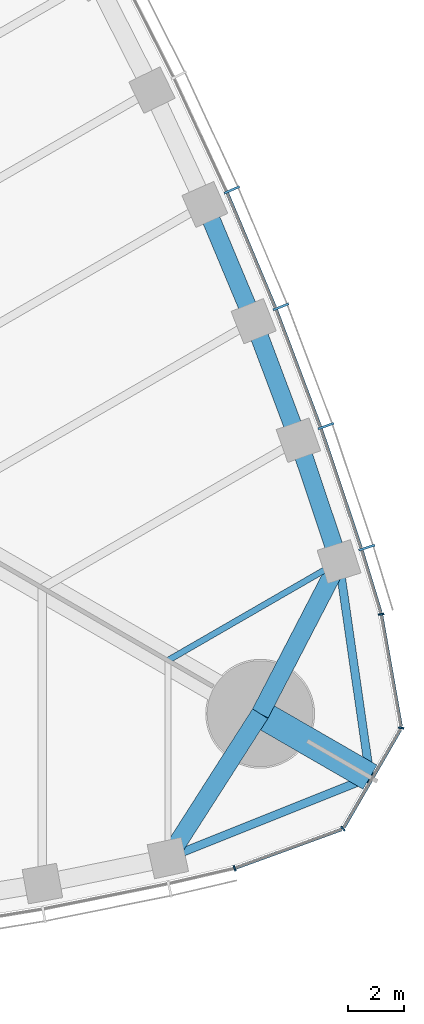
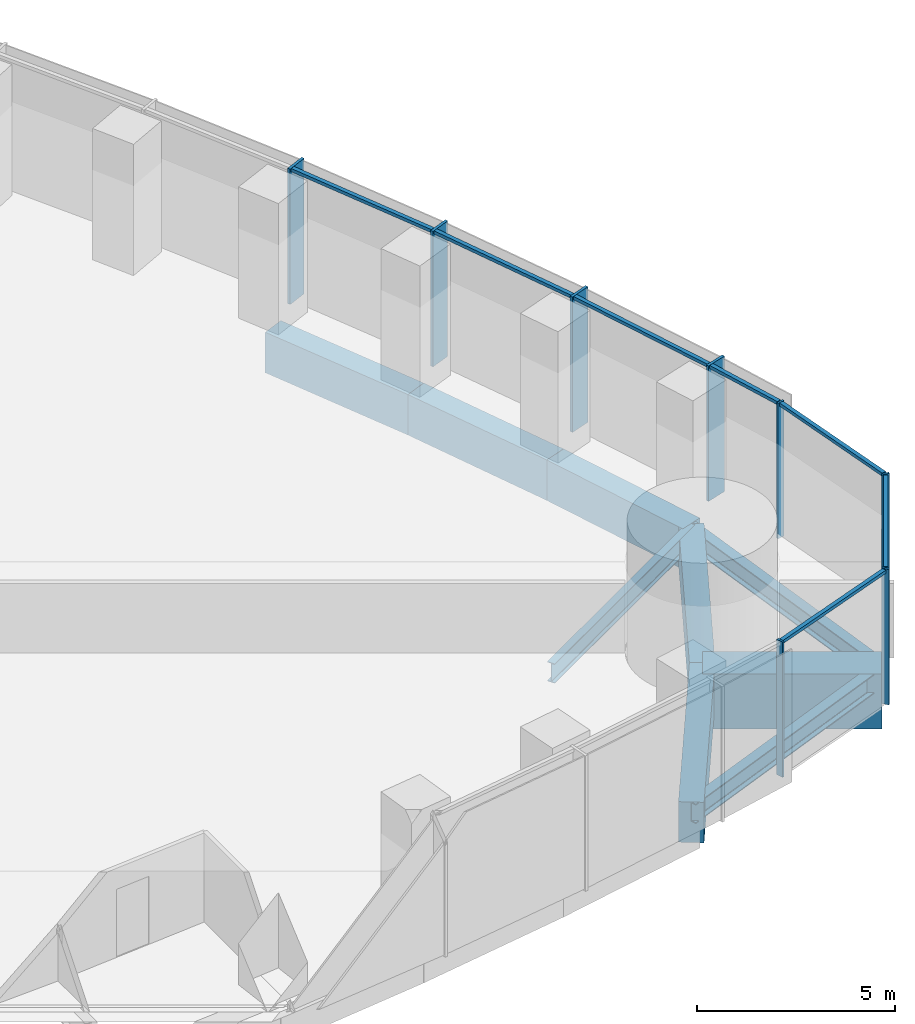
# One storey, part 8 of 19: 15 members, 9 beams, 2 elements without a shape of their own.
"""IFC4 building model written with IfcOpenShell, lengths in metres."""

from ifc_helpers import new_model, si_unit, direction, frame, origin, origin_2d, place, context, subcontext, project, spatial, rectangle, i_section, extrude, material, material_profile, profile_set, type_object, element, aggregate, save


model = new_model("IFC4")

# Units and contexts
model_context = context("Model", 3, precision=1e-05, world=origin(), true_north=direction((0.0, 1.0)))
body_context = subcontext(model_context, "Body", "Model", "MODEL_VIEW")
ifc_project = project(units=[si_unit("LENGTHUNIT", "METRE"), si_unit("AREAUNIT", "SQUARE_METRE"), si_unit("VOLUMEUNIT", "CUBIC_METRE"), si_unit("PLANEANGLEUNIT", "RADIAN"), si_unit("MASSUNIT", "GRAM", prefix="KILO")], contexts=[model_context])

# Site, building, storey
site_placement = place(None, origin())
site = spatial("IfcSite", under=ifc_project, at=site_placement, CompositionType="ELEMENT")
building_placement = place(site_placement, origin())
building = spatial("IfcBuilding", under=site, at=building_placement, Name="Trefoil Bronze Tower", CompositionType="ELEMENT")
storey_placement = place(building_placement, frame((0.0, 0.0, 140.89990234375)))
storey = spatial("IfcBuildingStorey", under=building, at=storey_placement, Name="L32", CompositionType="ELEMENT", Elevation=140.89990234375)

# Curtain wall, members
ifc_material_1 = material(Name="Tinted solar-control glass", Category="glass")
curtain_wall_type_1 = type_object("IfcCurtainWallType", Name="Bronze office curtain wall", PredefinedType="USERDEFINED", material=ifc_material_1)
curtain_wall_1_placement = place(storey_placement, origin())
curtain_wall_1 = element("IfcCurtainWall", 1, at=curtain_wall_1_placement, inside=storey, type_object=curtain_wall_type_1, Name="CW-A L32 F2", ObjectType="CURTAIN WALL", PredefinedType="USERDEFINED")
ifc_material_2 = material(Name="Bronze-finish aluminium", Category="aluminium")
ifc_material_profile_1 = material_profile(ifc_material_2, rectangle(XDim=0.60009765625, YDim=0.080078125, at=origin_2d()), Name="CW-A mullion")
ifc_profile_set_1 = profile_set([ifc_material_profile_1], Name="Bronze-finish aluminium")
member_type_1 = type_object("IfcMemberType", Name="Bronze office curtain wall mullion", PredefinedType="MULLION", material=ifc_profile_set_1)
member_1_placement = place(storey_placement, frame((34.1337890625, -11.543212890625, 0.0), z_axis=(0.0, 0.0, 1.0), x_axis=(-0.952331125357, -0.30506626768, 0.0)))
member_1 = element("IfcMember", 2, at=member_1_placement, type_object=member_type_1, Name="CW-A L32 F2 mullion 2", PredefinedType="MULLION", context=body_context, shape_type="SweptSolid", body=[
    extrude(rectangle(XDim=0.60009765625, YDim=0.080078125, at=origin_2d()), origin(), (0.0, 0.0, 1.0), 4.18017578125),
])
member_2_placement = place(storey_placement, frame((32.668701171875, -7.181884765625, 0.0), z_axis=(0.0, 0.0, 1.0), x_axis=(-0.94196250502, -0.335718094742, 0.0)))
member_2 = element("IfcMember", 3, at=member_2_placement, type_object=member_type_1, Name="CW-A L32 F2 mullion 3", PredefinedType="MULLION", context=body_context, shape_type="SweptSolid", body=[
    extrude(rectangle(XDim=0.60009765625, YDim=0.080078125, at=origin_2d()), origin(), (0.0, 0.0, 1.0), 4.18017578125),
])
member_3_placement = place(storey_placement, frame((31.055419921875, -2.90478515625, 0.0), z_axis=(0.0, 0.0, 1.0), x_axis=(-0.929071242848, -0.369900832269, 0.0)))
member_3 = element("IfcMember", 4, at=member_3_placement, type_object=member_type_1, Name="CW-A L32 F2 mullion 4", PredefinedType="MULLION", context=body_context, shape_type="SweptSolid", body=[
    extrude(rectangle(XDim=0.60009765625, YDim=0.080078125, at=origin_2d()), origin(), (0.0, 0.0, 1.0), 4.18017578125),
])
member_4_placement = place(storey_placement, frame((29.296875, 1.28857421875, 0.0), z_axis=(0.0, 0.0, 1.0), x_axis=(-0.915018269914, -0.40341240155, 0.0)))
member_4 = element("IfcMember", 5, at=member_4_placement, type_object=member_type_1, Name="CW-A L32 F2 mullion 5", PredefinedType="MULLION", context=body_context, shape_type="SweptSolid", body=[
    extrude(rectangle(XDim=0.60009765625, YDim=0.080078125, at=origin_2d()), origin(), (0.0, 0.0, 1.0), 4.18017578125),
])
ifc_material_3 = material(Name="Bronze-finish aluminium", Category="aluminium")
ifc_material_profile_2 = material_profile(ifc_material_3, rectangle(XDim=0.1201171875, YDim=0.10009765625, at=origin_2d()), Name="CW-A transom")
ifc_profile_set_2 = profile_set([ifc_material_profile_2], Name="Bronze-finish aluminium")
member_type_2 = type_object("IfcMemberType", Name="Bronze office curtain wall transom", PredefinedType="USERDEFINED", material=ifc_profile_set_2)
member_5_placement = place(storey_placement, frame((34.637939453125, -13.88232421875, 4.130126953125), z_axis=(-0.291680468798, 0.956515814883, 0.0), x_axis=(-0.956515814883, -0.291680468798, 0.0)))
member_5 = element("IfcMember", 6, at=member_5_placement, type_object=member_type_2, Name="CW-A L32 F2 transom 1", ObjectType="TRANSOM", PredefinedType="USERDEFINED", context=body_context, shape_type="SweptSolid", body=[
    extrude(rectangle(XDim=0.1201171875, YDim=0.10009765625, at=origin_2d()), origin(), (0.0, 0.0, 1.0), 2.34033203125),
])
member_6_placement = place(storey_placement, frame((33.929931640625, -11.56494140625, 4.130126953125), z_axis=(-0.318386323729, 0.947961048178, 0.0), x_axis=(-0.947961048178, -0.318386323729, 0.0)))
member_6 = element("IfcMember", 7, at=member_6_placement, type_object=member_type_2, Name="CW-A L32 F2 transom 2", ObjectType="TRANSOM", PredefinedType="USERDEFINED", context=body_context, shape_type="SweptSolid", body=[
    extrude(rectangle(XDim=0.1201171875, YDim=0.10009765625, at=origin_2d()), origin(), (0.0, 0.0, 1.0), 4.51123046875),
])
member_7_placement = place(storey_placement, frame((32.465576171875, -7.2099609375, 4.130126953125), z_axis=(-0.352932154759, 0.935648916067, 0.0), x_axis=(-0.935648916067, -0.352932154759, 0.0)))
member_7 = element("IfcMember", 8, at=member_7_placement, type_object=member_type_2, Name="CW-A L32 F2 transom 3", ObjectType="TRANSOM", PredefinedType="USERDEFINED", context=body_context, shape_type="SweptSolid", body=[
    extrude(rectangle(XDim=0.1201171875, YDim=0.10009765625, at=origin_2d()), origin(), (0.0, 0.0, 1.0), 4.48046875),
])
member_8_placement = place(storey_placement, frame((30.853515625, -2.940185546875, 4.130126953125), z_axis=(-0.386773266184, 0.922174842731, 0.0), x_axis=(-0.922174842731, -0.386773266184, 0.0)))
member_8 = element("IfcMember", 9, at=member_8_placement, type_object=member_type_2, Name="CW-A L32 F2 transom 4", ObjectType="TRANSOM", PredefinedType="USERDEFINED", context=body_context, shape_type="SweptSolid", body=[
    extrude(rectangle(XDim=0.1201171875, YDim=0.10009765625, at=origin_2d()), origin(), (0.0, 0.0, 1.0), 4.45654296875),
])
aggregate(curtain_wall_1, [member_1, member_2, member_3, member_4, member_5, member_6, member_7, member_8])

ifc_material_4 = material(Name="Tinted solar-control glass", Category="glass")
curtain_wall_type_2 = type_object("IfcCurtainWallType", Name="Bronze rounded corner curtain wall", PredefinedType="USERDEFINED", material=ifc_material_4)
curtain_wall_2_placement = place(storey_placement, origin())
curtain_wall_2 = element("IfcCurtainWall", 10, at=curtain_wall_2_placement, inside=storey, type_object=curtain_wall_type_2, Name="CW-B L32 K1", ObjectType="CURTAIN WALL", PredefinedType="USERDEFINED")
ifc_material_5 = material(Name="Bronze-finish aluminium", Category="aluminium")
ifc_material_profile_3 = material_profile(ifc_material_5, rectangle(XDim=0.199951171875, YDim=0.06005859375, at=origin_2d()), Name="CW-B mullion")
ifc_profile_set_3 = profile_set([ifc_material_profile_3], Name="Bronze-finish aluminium")
member_type_3 = type_object("IfcMemberType", Name="Bronze rounded corner curtain wall mullion", PredefinedType="MULLION", material=ifc_profile_set_3)
member_9_placement = place(storey_placement, frame((29.391845703125, -23.043701171875, 0.0), z_axis=(0.0, 0.0, 1.0), x_axis=(-0.342020143326, 0.939692620786, 0.0)))
member_9 = element("IfcMember", 11, at=member_9_placement, type_object=member_type_3, Name="CW-B L32 K1 mullion 1", PredefinedType="MULLION", context=body_context, shape_type="SweptSolid", body=[
    extrude(rectangle(XDim=0.199951171875, YDim=0.06005859375, at=origin_2d()), origin(), (0.0, 0.0, 1.0), 4.18017578125),
])
member_10_placement = place(storey_placement, frame((33.27880859375, -21.62255859375, 0.0), z_axis=(0.0, 0.0, 1.0), x_axis=(-0.642787609687, 0.766044443119, 0.0)))
member_10 = element("IfcMember", 12, at=member_10_placement, type_object=member_type_3, Name="CW-B L32 K1 mullion 2", PredefinedType="MULLION", context=body_context, shape_type="SweptSolid", body=[
    extrude(rectangle(XDim=0.199951171875, YDim=0.06005859375, at=origin_2d()), origin(), (0.0, 0.0, 1.0), 4.18017578125),
])
member_11_placement = place(storey_placement, frame((35.364990234375, -18.009033203125, 0.0), z_axis=(0.0, 0.0, 1.0), x_axis=(-0.984807753012, 0.173648177667, 0.0)))
member_11 = element("IfcMember", 13, at=member_11_placement, type_object=member_type_3, Name="CW-B L32 K1 mullion 3", PredefinedType="MULLION", context=body_context, shape_type="SweptSolid", body=[
    extrude(rectangle(XDim=0.199951171875, YDim=0.06005859375, at=origin_2d()), origin(), (0.0, 0.0, 1.0), 4.18017578125),
])
member_12_placement = place(storey_placement, frame((34.65234375, -13.932373046875, 0.0), z_axis=(0.0, 0.0, 1.0), x_axis=(-0.984807753012, -0.173648177667, 0.0)))
member_12 = element("IfcMember", 14, at=member_12_placement, type_object=member_type_3, Name="CW-B L32 K1 mullion 4", PredefinedType="MULLION", context=body_context, shape_type="SweptSolid", body=[
    extrude(rectangle(XDim=0.199951171875, YDim=0.06005859375, at=origin_2d()), origin(), (0.0, 0.0, 1.0), 4.18017578125),
])
ifc_material_6 = material(Name="Bronze-finish aluminium", Category="aluminium")
ifc_material_profile_4 = material_profile(ifc_material_6, rectangle(XDim=0.1201171875, YDim=0.10009765625, at=origin_2d()), Name="CW-B transom")
ifc_profile_set_4 = profile_set([ifc_material_profile_4], Name="Bronze-finish aluminium")
member_type_4 = type_object("IfcMemberType", Name="Bronze rounded corner curtain wall transom", PredefinedType="USERDEFINED", material=ifc_profile_set_4)
member_13_placement = place(storey_placement, frame((29.420166015625, -23.033447265625, 4.130126953125), z_axis=(0.939684096629, 0.342043562347, 0.0), x_axis=(-0.342043562347, 0.939684096629, 0.0)))
member_13 = element("IfcMember", 15, at=member_13_placement, type_object=member_type_4, Name="CW-B L32 K1 transom 1", ObjectType="TRANSOM", PredefinedType="USERDEFINED", context=body_context, shape_type="SweptSolid", body=[
    extrude(rectangle(XDim=0.1201171875, YDim=0.10009765625, at=origin_2d()), origin(), (0.0, 0.0, 1.0), 4.044189453125),
])
member_14_placement = place(storey_placement, frame((33.31591796875, -21.570068359375, 4.130126953125), z_axis=(0.500015078168, 0.866016698225, 0.0), x_axis=(-0.866016698225, 0.500015078168, 0.0)))
member_14 = element("IfcMember", 16, at=member_14_placement, type_object=member_type_4, Name="CW-B L32 K1 transom 2", ObjectType="TRANSOM", PredefinedType="USERDEFINED", context=body_context, shape_type="SweptSolid", body=[
    extrude(rectangle(XDim=0.1201171875, YDim=0.10009765625, at=origin_2d()), origin(), (0.0, 0.0, 1.0), 4.04443359375),
])
member_15_placement = place(storey_placement, frame((35.35986328125, -17.944580078125, 4.130126953125), z_axis=(-0.173682016639, 0.984801785689, 0.0), x_axis=(-0.984801785689, -0.173682016639, 0.0)))
member_15 = element("IfcMember", 17, at=member_15_placement, type_object=member_type_4, Name="CW-B L32 K1 transom 3", ObjectType="TRANSOM", PredefinedType="USERDEFINED", context=body_context, shape_type="SweptSolid", body=[
    extrude(rectangle(XDim=0.1201171875, YDim=0.10009765625, at=origin_2d()), origin(), (0.0, 0.0, 1.0), 4.044189453125),
])
aggregate(curtain_wall_2, [member_9, member_10, member_11, member_12, member_13, member_14, member_15])

# Beams
ifc_material_7 = material(Name="Concrete B80", Category="concrete")
ifc_material_profile_5 = material_profile(ifc_material_7, rectangle(XDim=1.0, YDim=1.699951171875, at=origin_2d()), Name="RC 1000x1700")
ifc_profile_set_5 = profile_set([ifc_material_profile_5], Name="Concrete B80")
beam_type_1 = type_object("IfcBeamType", Name="Corner cantilever RC 1000x1700", PredefinedType="BEAM", material=ifc_profile_set_5)
beam_1_placement = place(storey_placement, frame((30.310791015625, -17.5, -1.0498046875), z_axis=(0.866031878637, -0.499988785058, 0.0), x_axis=(0.499988785058, 0.866031878637, 0.0)))
element("IfcBeam", 18, at=beam_1_placement, inside=storey, type_object=beam_type_1, Name="Corner cantilever K1 L32", PredefinedType="BEAM", context=body_context, shape_type="SweptSolid", body=[
    extrude(rectangle(XDim=1.0, YDim=1.699951171875, at=origin_2d()), origin(), (0.0, 0.0, 1.0), 4.54931640625),
])
ifc_material_8 = material(Name="Steel C355", Category="steel")
ifc_material_profile_6 = material_profile(ifc_material_8, i_section(OverallWidth=0.300048828125, OverallDepth=0.60009765625, WebThickness=0.015380859375, FlangeThickness=0.030029296875, FilletRadius=0.027099609375, at=origin_2d()), Name="HEB 600")
ifc_profile_set_6 = profile_set([ifc_material_profile_6], Name="Steel C355")
beam_type_2 = type_object("IfcBeamType", Name="Corner edge beam HEB 600", PredefinedType="BEAM", material=ifc_profile_set_6)
for number, where, z_axis, x_axis, name in (
    (19, (27.0, -22.67724609375, -0.5), (0.928375332495, 0.371643972122, 0.0), (-0.371643972122, 0.928375332495, 0.0), "Corner edge beam F1A L32"),
    (20, (33.13916015625, -12.044189453125, -0.5), (0.142327214588, -0.989819662357, 0.0), (0.989819662357, 0.142327214588, 0.0), "Corner edge beam F2B L32"),
):
    element("IfcBeam", number, at=place(storey_placement, frame(where, z_axis=z_axis, x_axis=x_axis)), inside=storey, type_object=beam_type_2, Name=name, PredefinedType="BEAM", context=body_context, shape_type="SweptSolid", body=[
        extrude(i_section(OverallWidth=0.300048828125, OverallDepth=0.60009765625, WebThickness=0.015380859375, FlangeThickness=0.030029296875, FilletRadius=0.027099609375, at=origin_2d()), origin(), (0.0, 0.0, 1.0), 7.81005859375),
    ])
ifc_material_9 = material(Name="Concrete B80", Category="concrete")
ifc_material_profile_7 = material_profile(ifc_material_9, rectangle(XDim=0.64990234375, YDim=1.25, at=origin_2d()), Name="RC 650x1250")
ifc_profile_set_7 = profile_set([ifc_material_profile_7], Name="Concrete B80")
beam_type_3 = type_object("IfcBeamType", Name="End spandrel beam RC 650x1250", PredefinedType="SPANDREL", material=ifc_profile_set_7)
for number, where, z_axis, x_axis, name in (
    (21, (27.0, -22.67724609375, -0.824951171875), (0.53874814953, 0.84246687257, 0.0), (-0.84246687257, 0.53874814953, 0.0), "Spandrel F1.14 L32"),
    (22, (30.310791015625, -17.5, -0.824951171875), (0.460244107083, 0.887792409235, 0.0), (-0.887792409235, 0.460244107083, 0.0), "Spandrel F2.1 L32"),
):
    element("IfcBeam", number, at=place(storey_placement, frame(where, z_axis=z_axis, x_axis=x_axis)), inside=storey, type_object=beam_type_3, Name=name, PredefinedType="SPANDREL", context=body_context, shape_type="SweptSolid", body=[
        extrude(rectangle(XDim=0.64990234375, YDim=1.25, at=origin_2d()), origin(), (0.0, 0.0, 1.0), 6.145263671875),
    ])
ifc_material_10 = material(Name="Steel C355", Category="steel")
ifc_material_profile_8 = material_profile(ifc_material_10, i_section(OverallWidth=0.219970703125, OverallDepth=0.60009765625, WebThickness=0.011962890625, FlangeThickness=0.01904296875, FilletRadius=0.02392578125, at=origin_2d()), Name="IPE 600")
ifc_profile_set_8 = profile_set([ifc_material_profile_8], Name="Steel C355")
beam_type_4 = type_object("IfcBeamType", Name="Floor beam IPE 600", PredefinedType="BEAM", material=ifc_profile_set_8)
beam_2_placement = place(storey_placement, frame((33.13916015625, -12.044189453125, -0.5), z_axis=(-0.866041060244, -0.499972881236, 0.0), x_axis=(0.499972881236, -0.866041060244, 0.0)))
element("IfcBeam", 23, at=beam_2_placement, inside=storey, type_object=beam_type_4, Name="Floor beam F2/-6 L32", PredefinedType="BEAM", context=body_context, shape_type="SweptSolid", body=[
    extrude(i_section(OverallWidth=0.219970703125, OverallDepth=0.60009765625, WebThickness=0.011962890625, FlangeThickness=0.01904296875, FilletRadius=0.02392578125, at=origin_2d()), origin(), (0.0, 0.0, 1.0), 7.0888671875),
])
ifc_material_11 = material(Name="Concrete B80", Category="concrete")
ifc_material_profile_9 = material_profile(ifc_material_11, rectangle(XDim=0.64990234375, YDim=1.25, at=origin_2d()), Name="RC 650x1250")
ifc_profile_set_9 = profile_set([ifc_material_profile_9], Name="Concrete B80")
beam_type_5 = type_object("IfcBeamType", Name="Spandrel beam RC 650x1250", PredefinedType="SPANDREL", material=ifc_profile_set_9)
beam_3_placement = place(storey_placement, frame((33.13916015625, -12.044189453125, -0.824951171875), z_axis=(-0.31732802068, 0.948315837309, 0.0), x_axis=(-0.948315837309, -0.31732802068, 0.0)))
element("IfcBeam", 24, at=beam_3_placement, inside=storey, type_object=beam_type_5, Name="Spandrel F2.2 L32", PredefinedType="SPANDREL", context=body_context, shape_type="SweptSolid", body=[
    extrude(rectangle(XDim=0.64990234375, YDim=1.25, at=origin_2d()), origin(), (0.0, 0.0, 1.0), 4.59228515625),
])
beam_4_placement = place(storey_placement, frame((31.681884765625, -7.689208984375, -0.824951171875), z_axis=(-0.351938675523, 0.936023059904, 0.0), x_axis=(-0.936023059904, -0.351938675523, 0.0)))
element("IfcBeam", 25, at=beam_4_placement, inside=storey, type_object=beam_type_5, Name="Spandrel F2.3 L32", PredefinedType="SPANDREL", context=body_context, shape_type="SweptSolid", body=[
    extrude(rectangle(XDim=0.64990234375, YDim=1.25, at=origin_2d()), origin(), (0.0, 0.0, 1.0), 4.56103515625),
])
beam_5_placement = place(storey_placement, frame((30.07666015625, -3.419921875, -0.824951171875), z_axis=(-0.386013490858, 0.922493135408, 0.0), x_axis=(-0.922493135408, -0.386013490858, 0.0)))
element("IfcBeam", 26, at=beam_5_placement, inside=storey, type_object=beam_type_5, Name="Spandrel F2.4 L32", PredefinedType="SPANDREL", context=body_context, shape_type="SweptSolid", body=[
    extrude(rectangle(XDim=0.64990234375, YDim=1.25, at=origin_2d()), origin(), (0.0, 0.0, 1.0), 4.53662109375),
])

save(model, "model.ifc")
